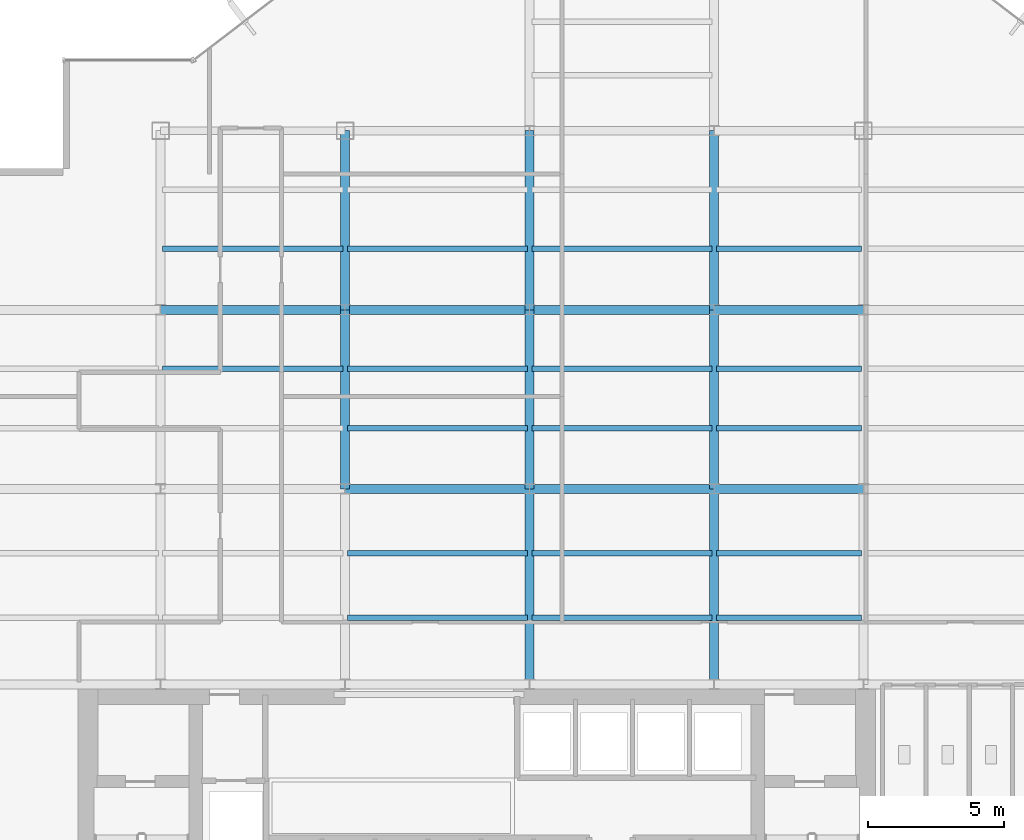
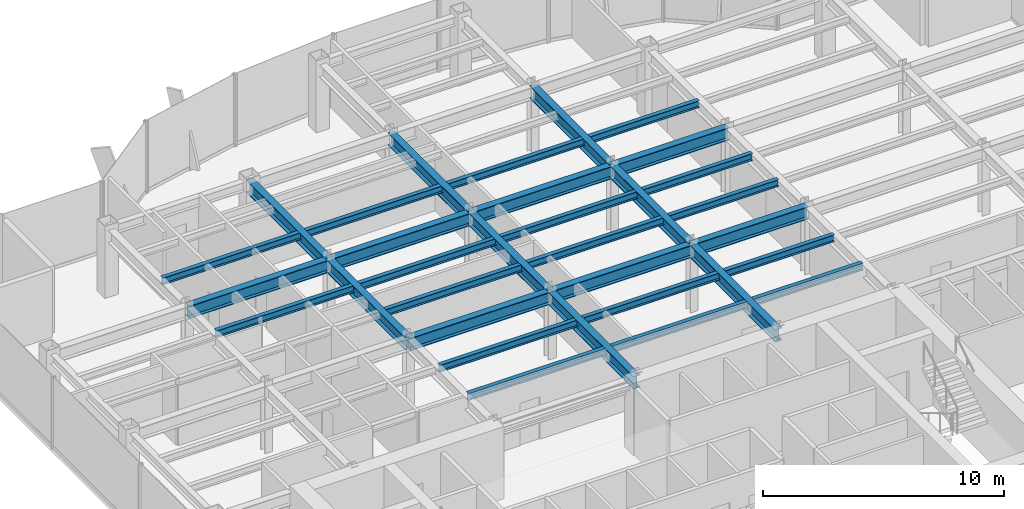
# One storey, part 8 of 25: 32 beams.
"""IFC4 building model written with IfcOpenShell, lengths in metres."""

from ifc_helpers import new_model, si_unit, derived_unit, direction, frame, origin, origin_2d, place, context, subcontext, project, spatial, i_section, extrude, source, transform, mapped, material, material_profile, profile_set, type_object, element, save


model = new_model("IFC4")

# Units and contexts
model_context = context("Model", 3, precision=1e-05, world=origin(), true_north=direction((0.0, 1.0)))
body_context = subcontext(model_context, "Body", "Model", "MODEL_VIEW")
ifc_project = project(units=[si_unit("LENGTHUNIT", "METRE"), si_unit("AREAUNIT", "SQUARE_METRE"), si_unit("VOLUMEUNIT", "CUBIC_METRE"), si_unit("PLANEANGLEUNIT", "RADIAN"), si_unit("MASSUNIT", "GRAM", prefix="KILO"), derived_unit("THERMALTRANSMITTANCEUNIT", [(si_unit("POWERUNIT", "WATT"), 1), (si_unit("LENGTHUNIT", "METRE"), -2), (si_unit("THERMODYNAMICTEMPERATUREUNIT", "KELVIN"), -1)])], contexts=[model_context])

# Site, building, storey
site_placement = place(None, origin())
site = spatial("IfcSite", under=ifc_project, at=site_placement, CompositionType="ELEMENT")
building_placement = place(site_placement, origin())
building = spatial("IfcBuilding", under=site, at=building_placement, Name="Skarnbrae Concourse Arena and Tower", CompositionType="ELEMENT")
storey_placement = place(building_placement, frame((0.0, 0.0, 169.800048828125)))
storey = spatial("IfcBuildingStorey", under=building, at=storey_placement, Name="L43", CompositionType="ELEMENT", Elevation=169.800048828125)

# Beams
ifc_material = material(Name="Steel CSA G40.21 350W", Category="steel")
ifc_material_profile_1 = material_profile(ifc_material, i_section(OverallWidth=0.3291015625, OverallDepth=0.635009765625, WebThickness=0.017822265625, FlangeThickness=0.031005859375, at=origin_2d()), Name="W610X241")
ifc_profile_set_1 = profile_set([ifc_material_profile_1], Name="Steel CSA G40.21 350W")
beam_type_1 = type_object("IfcBeamType", Name="BM-GIRD-W610X241", PredefinedType="BEAM", material=ifc_profile_set_1)
shared_shape_1 = source(origin(), body_context, "Body", "SweptSolid", [
    extrude(i_section(OverallWidth=0.3291015625, OverallDepth=0.635009765625, WebThickness=0.017822265625, FlangeThickness=0.031005859375, at=origin_2d()), origin(), (0.0, 0.0, 1.0), 6.60009765625),
])
for number, where, z_axis, x_axis, name in (
    (1, (14.39990234375, 21.199951171875, 3.08251953125), (0.0, 1.0, 0.0), (-1.0, 0.0, 0.0), "L43 Primary N-S girder X14.4-2"),
    (2, (21.199951171875, 21.199951171875, 3.08251953125), (0.0, 1.0, 0.0), (-1.0, 0.0, 0.0), "L43 Primary N-S girder X21.2-2"),
    (3, (28.0, 21.199951171875, 3.08251953125), (0.0, 1.0, 0.0), (-1.0, 0.0, 0.0), "L43 Primary N-S girder X28.0-2"),
):
    element("IfcBeam", number, at=place(storey_placement, frame(where, z_axis=z_axis, x_axis=x_axis)), inside=storey, type_object=beam_type_1, Name=name, PredefinedType="BEAM", context=body_context, shape_type="MappedRepresentation", body=[
        mapped(shared_shape_1, transform((0.0, 0.0, 0.0))),
    ])
shared_shape_2 = source(origin(), body_context, "Body", "SweptSolid", [
    extrude(i_section(OverallWidth=0.3291015625, OverallDepth=0.635009765625, WebThickness=0.017822265625, FlangeThickness=0.031005859375, at=origin_2d()), origin(), (0.0, 0.0, 1.0), 6.7998046875),
])
beam_placement = place(storey_placement, frame((7.60009765625, 27.800048828125, 3.08251953125), z_axis=(1.0, 0.0, 0.0), x_axis=(0.0, 1.0, 0.0)))
element("IfcBeam", 4, at=beam_placement, inside=storey, type_object=beam_type_1, Name="L43 Primary E-W girder Y27.8-2", PredefinedType="BEAM", context=body_context, shape_type="MappedRepresentation", body=[
    mapped(shared_shape_2, transform((0.0, 0.0, 0.0))),
])
shared_shape_3 = source(origin(), body_context, "Body", "SweptSolid", [
    extrude(i_section(OverallWidth=0.3291015625, OverallDepth=0.635009765625, WebThickness=0.017822265625, FlangeThickness=0.031005859375, at=origin_2d()), origin(), (0.0, 0.0, 1.0), 6.800048828125),
])
for number, where, z_axis, x_axis, name in (
    (5, (14.39990234375, 21.199951171875, 3.08251953125), (1.0, 0.0, 0.0), (0.0, 1.0, 0.0), "L43 Primary E-W girder Y21.2-3"),
    (6, (21.199951171875, 21.199951171875, 3.08251953125), (1.0, 0.0, 0.0), (0.0, 1.0, 0.0), "L43 Primary E-W girder Y21.2-4"),
    (7, (14.39990234375, 27.800048828125, 3.08251953125), (1.0, 0.0, 0.0), (0.0, 1.0, 0.0), "L43 Primary E-W girder Y27.8-3"),
    (8, (21.199951171875, 27.800048828125, 3.08251953125), (1.0, 0.0, 0.0), (0.0, 1.0, 0.0), "L43 Primary E-W girder Y27.8-4"),
):
    element("IfcBeam", number, at=place(storey_placement, frame(where, z_axis=z_axis, x_axis=x_axis)), inside=storey, type_object=beam_type_1, Name=name, PredefinedType="BEAM", context=body_context, shape_type="MappedRepresentation", body=[
        mapped(shared_shape_3, transform((0.0, 0.0, 0.0))),
    ])
shared_shape_4 = source(origin(), body_context, "Body", "SweptSolid", [
    extrude(i_section(OverallWidth=0.3291015625, OverallDepth=0.635009765625, WebThickness=0.017822265625, FlangeThickness=0.031005859375, at=origin_2d()), origin(), (0.0, 0.0, 1.0), 5.5),
])
for number, where, z_axis, x_axis, name in (
    (9, (28.0, 21.199951171875, 3.08251953125), (1.0, 0.0, 0.0), (0.0, 1.0, 0.0), "L43 Primary E-W girder Y21.2-5"),
    (10, (28.0, 27.800048828125, 3.08251953125), (1.0, 0.0, 0.0), (0.0, 1.0, 0.0), "L43 Primary E-W girder Y27.8-5"),
):
    element("IfcBeam", number, at=place(storey_placement, frame(where, z_axis=z_axis, x_axis=x_axis)), inside=storey, type_object=beam_type_1, Name=name, PredefinedType="BEAM", context=body_context, shape_type="MappedRepresentation", body=[
        mapped(shared_shape_4, transform((0.0, 0.0, 0.0))),
    ])
shared_shape_5 = source(origin(), body_context, "Body", "SweptSolid", [
    extrude(i_section(OverallWidth=0.3291015625, OverallDepth=0.635009765625, WebThickness=0.017822265625, FlangeThickness=0.031005859375, at=origin_2d()), origin(), (0.0, 0.0, 1.0), 7.199951171875),
])
for number, where, z_axis, x_axis, name in (
    (11, (21.199951171875, 14.0, 3.08251953125), (0.0, 1.0, 0.0), (-1.0, 0.0, 0.0), "L43 Primary N-S girder X21.2-1"),
    (12, (28.0, 14.0, 3.08251953125), (0.0, 1.0, 0.0), (-1.0, 0.0, 0.0), "L43 Primary N-S girder X28.0-1"),
):
    element("IfcBeam", number, at=place(storey_placement, frame(where, z_axis=z_axis, x_axis=x_axis)), inside=storey, type_object=beam_type_1, Name=name, PredefinedType="BEAM", context=body_context, shape_type="MappedRepresentation", body=[
        mapped(shared_shape_5, transform((0.0, 0.0, 0.0))),
    ])
shared_shape_6 = source(origin(), body_context, "Body", "SweptSolid", [
    extrude(i_section(OverallWidth=0.3291015625, OverallDepth=0.635009765625, WebThickness=0.017822265625, FlangeThickness=0.031005859375, at=origin_2d()), origin(), (0.0, 0.0, 1.0), 6.599853515625),
])
for number, where, z_axis, x_axis, name in (
    (13, (14.39990234375, 27.800048828125, 3.08251953125), (0.0, 1.0, 0.0), (-1.0, 0.0, 0.0), "L43 Primary N-S girder X14.4-3"),
    (14, (21.199951171875, 27.800048828125, 3.08251953125), (0.0, 1.0, 0.0), (-1.0, 0.0, 0.0), "L43 Primary N-S girder X21.2-3"),
    (15, (28.0, 27.800048828125, 3.08251953125), (0.0, 1.0, 0.0), (-1.0, 0.0, 0.0), "L43 Primary N-S girder X28.0-3"),
):
    element("IfcBeam", number, at=place(storey_placement, frame(where, z_axis=z_axis, x_axis=x_axis)), inside=storey, type_object=beam_type_1, Name=name, PredefinedType="BEAM", context=body_context, shape_type="MappedRepresentation", body=[
        mapped(shared_shape_6, transform((0.0, 0.0, 0.0))),
    ])
ifc_material_profile_2 = material_profile(ifc_material, i_section(OverallWidth=0.205078125, OverallDepth=0.35400390625, WebThickness=0.009521484375, FlangeThickness=0.016845703125, at=origin_2d()), Name="W360X79")
ifc_profile_set_2 = profile_set([ifc_material_profile_2], Name="Steel CSA G40.21 350W")
beam_type_2 = type_object("IfcBeamType", Name="BM-JOIST-W360X79", PredefinedType="JOIST", material=ifc_profile_set_2)
shared_shape_7 = source(origin(), body_context, "Body", "SweptSolid", [
    extrude(i_section(OverallWidth=0.205078125, OverallDepth=0.35400390625, WebThickness=0.009521484375, FlangeThickness=0.016845703125, at=origin_2d()), origin(), (0.0, 0.0, 1.0), 6.64013671875),
])
for number, where, z_axis, x_axis, name in (
    (16, (14.47998046875, 16.447998046875, 3.222900390625), (1.0, 0.0, 0.0), (0.0, 1.0, 0.0), "L43 Secondary floor joist 1.1.3"),
    (17, (14.47998046875, 18.823974609375, 3.222900390625), (1.0, 0.0, 0.0), (0.0, 1.0, 0.0), "L43 Secondary floor joist 1.2.3"),
    (18, (14.47998046875, 23.444091796875, 3.222900390625), (1.0, 0.0, 0.0), (0.0, 1.0, 0.0), "L43 Secondary floor joist 2.1.3"),
    (19, (7.679931640625, 25.6220703125, 3.222900390625), (1.0, 0.0, 0.0), (0.0, 1.0, 0.0), "L43 Secondary floor joist 2.2.2"),
    (20, (14.47998046875, 25.6220703125, 3.222900390625), (1.0, 0.0, 0.0), (0.0, 1.0, 0.0), "L43 Secondary floor joist 2.2.3"),
    (21, (7.679931640625, 30.0439453125, 3.222900390625), (1.0, 0.0, 0.0), (0.0, 1.0, 0.0), "L43 Secondary floor joist 3.1.1"),
    (22, (14.47998046875, 30.0439453125, 3.222900390625), (1.0, 0.0, 0.0), (0.0, 1.0, 0.0), "L43 Secondary floor joist 3.1.2"),
):
    element("IfcBeam", number, at=place(storey_placement, frame(where, z_axis=z_axis, x_axis=x_axis)), inside=storey, type_object=beam_type_2, Name=name, PredefinedType="JOIST", context=body_context, shape_type="MappedRepresentation", body=[
        mapped(shared_shape_7, transform((0.0, 0.0, 0.0))),
    ])
shared_shape_8 = source(origin(), body_context, "Body", "SweptSolid", [
    extrude(i_section(OverallWidth=0.205078125, OverallDepth=0.35400390625, WebThickness=0.009521484375, FlangeThickness=0.016845703125, at=origin_2d()), origin(), (0.0, 0.0, 1.0), 6.639892578125),
])
for number, where, z_axis, x_axis, name in (
    (23, (21.280029296875, 16.447998046875, 3.222900390625), (1.0, 0.0, 0.0), (0.0, 1.0, 0.0), "L43 Secondary floor joist 1.1.4"),
    (24, (21.280029296875, 18.823974609375, 3.222900390625), (1.0, 0.0, 0.0), (0.0, 1.0, 0.0), "L43 Secondary floor joist 1.2.4"),
    (25, (21.280029296875, 23.444091796875, 3.222900390625), (1.0, 0.0, 0.0), (0.0, 1.0, 0.0), "L43 Secondary floor joist 2.1.4"),
    (26, (21.280029296875, 25.6220703125, 3.222900390625), (1.0, 0.0, 0.0), (0.0, 1.0, 0.0), "L43 Secondary floor joist 2.2.4"),
    (27, (21.280029296875, 30.0439453125, 3.222900390625), (1.0, 0.0, 0.0), (0.0, 1.0, 0.0), "L43 Secondary floor joist 3.1.3"),
):
    element("IfcBeam", number, at=place(storey_placement, frame(where, z_axis=z_axis, x_axis=x_axis)), inside=storey, type_object=beam_type_2, Name=name, PredefinedType="JOIST", context=body_context, shape_type="MappedRepresentation", body=[
        mapped(shared_shape_8, transform((0.0, 0.0, 0.0))),
    ])
shared_shape_9 = source(origin(), body_context, "Body", "SweptSolid", [
    extrude(i_section(OverallWidth=0.205078125, OverallDepth=0.35400390625, WebThickness=0.009521484375, FlangeThickness=0.016845703125, at=origin_2d()), origin(), (0.0, 0.0, 1.0), 5.33984375),
])
for number, where, z_axis, x_axis, name in (
    (28, (28.080078125, 16.447998046875, 3.222900390625), (1.0, 0.0, 0.0), (0.0, 1.0, 0.0), "L43 Secondary floor joist 1.1.5"),
    (29, (28.080078125, 18.823974609375, 3.222900390625), (1.0, 0.0, 0.0), (0.0, 1.0, 0.0), "L43 Secondary floor joist 1.2.5"),
    (30, (28.080078125, 23.444091796875, 3.222900390625), (1.0, 0.0, 0.0), (0.0, 1.0, 0.0), "L43 Secondary floor joist 2.1.5"),
    (31, (28.080078125, 25.6220703125, 3.222900390625), (1.0, 0.0, 0.0), (0.0, 1.0, 0.0), "L43 Secondary floor joist 2.2.5"),
    (32, (28.080078125, 30.0439453125, 3.222900390625), (1.0, 0.0, 0.0), (0.0, 1.0, 0.0), "L43 Secondary floor joist 3.1.4"),
):
    element("IfcBeam", number, at=place(storey_placement, frame(where, z_axis=z_axis, x_axis=x_axis)), inside=storey, type_object=beam_type_2, Name=name, PredefinedType="JOIST", context=body_context, shape_type="MappedRepresentation", body=[
        mapped(shared_shape_9, transform((0.0, 0.0, 0.0))),
    ])

save(model, "model.ifc")
